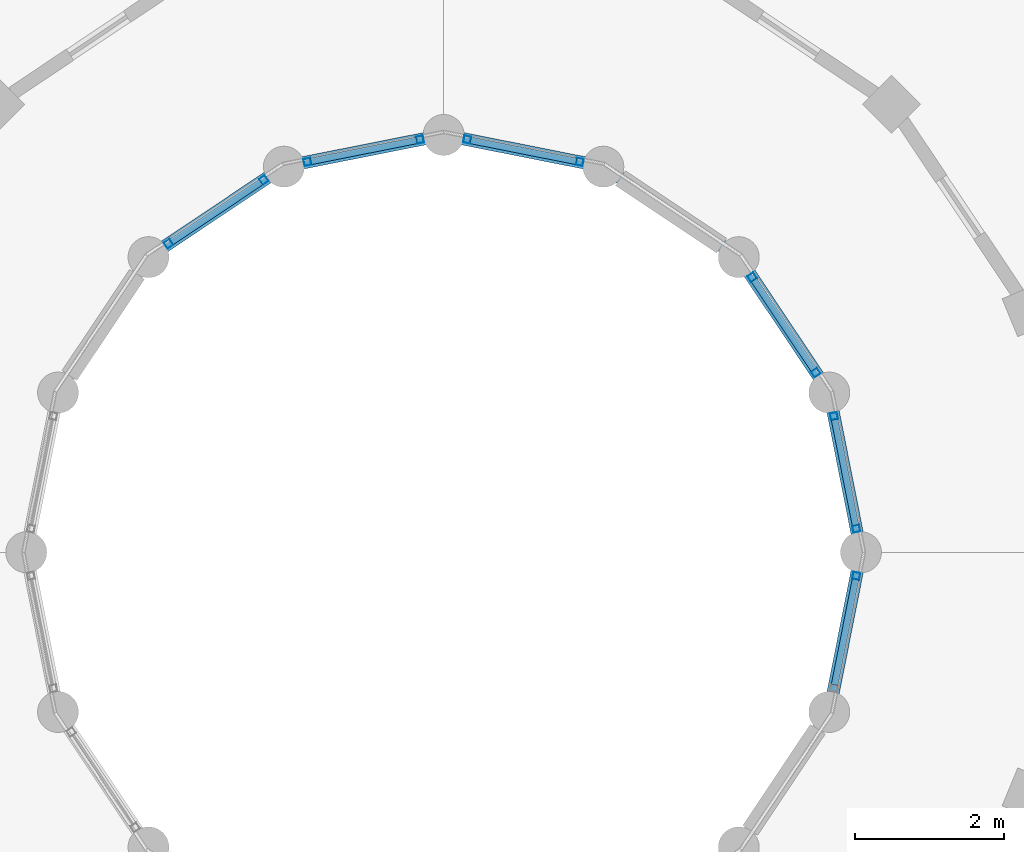
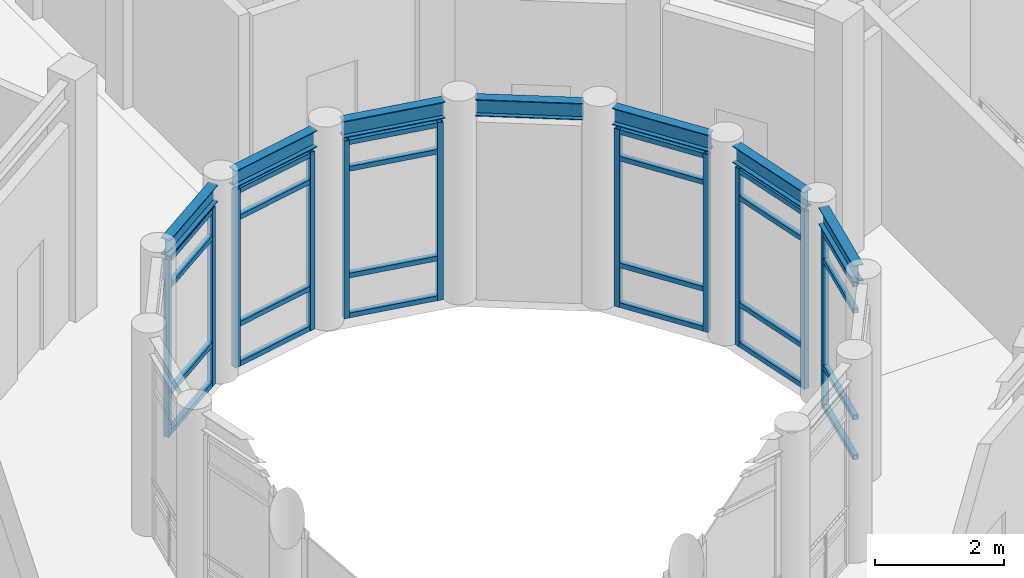
# One storey, part 15 of 149: 35 members, 7 beams, 6 elements without a shape of their own.
"""IFC4 building model written with IfcOpenShell, lengths in metres."""

from ifc_helpers import new_model, si_unit, direction, frame, origin, origin_2d, place, context, subcontext, project, spatial, hollow_rectangle, i_section, extrude, material, material_profile, profile_set, type_object, element, aggregate, save


model = new_model("IFC4")

# Units and contexts
model_context = context("Model", 3, precision=1e-05, world=origin(), true_north=direction((0.0, 1.0)))
body_context = subcontext(model_context, "Body", "Model", "MODEL_VIEW")
ifc_project = project(units=[si_unit("LENGTHUNIT", "METRE"), si_unit("AREAUNIT", "SQUARE_METRE"), si_unit("VOLUMEUNIT", "CUBIC_METRE"), si_unit("PLANEANGLEUNIT", "RADIAN"), si_unit("MASSUNIT", "GRAM", prefix="KILO")], contexts=[model_context])

# Site, building, storey
site_placement = place(None, origin())
site = spatial("IfcSite", under=ifc_project, at=site_placement, CompositionType="ELEMENT")
building_placement = place(site_placement, origin())
building = spatial("IfcBuilding", under=site, at=building_placement, Name="Celadon Cloister-Ring School", CompositionType="ELEMENT")
storey_placement = place(building_placement, frame((0.0, 0.0, 12.5)))
storey = spatial("IfcBuildingStorey", under=building, at=storey_placement, Name="L03", CompositionType="ELEMENT", Elevation=12.5)

# Curtain wall, members
ifc_material_1 = material(Name="Aluminium EN AW-6063 T6", Category="aluminium")
curtain_wall_type = type_object("IfcCurtainWallType", Name="CW-06", PredefinedType="USERDEFINED", material=ifc_material_1)
curtain_wall_1_placement = place(storey_placement, origin())
curtain_wall_1 = element("IfcCurtainWall", 1, at=curtain_wall_1_placement, inside=storey, type_object=curtain_wall_type, Name="Curtain Wall 0163", ObjectType="CURTAIN WALL", PredefinedType="USERDEFINED")
ifc_material_2 = material(Name="Aluminium EN AW-6063 T6", Category="aluminium")
ifc_material_profile_1 = material_profile(ifc_material_2, hollow_rectangle(XDim=0.094970703125, YDim=0.094970703125, WallThickness=0.00390625, at=origin_2d()), Name="RHS95X95X4")
ifc_profile_set_1 = profile_set([ifc_material_profile_1], Name="Aluminium EN AW-6063 T6")
member_type_1 = type_object("IfcMemberType", Name="CM-02", PredefinedType="MULLION", material=ifc_profile_set_1)
member_1_placement = place(storey_placement, frame((25.73681640625, 20.316650390625, 0.0), z_axis=(0.0, 0.0, 1.0), x_axis=(-0.980885435464, -0.194586131301, 0.0)))
member_1 = element("IfcMember", 2, at=member_1_placement, type_object=member_type_1, Name="CW-06 mullion 1", PredefinedType="MULLION", context=body_context, shape_type="SweptSolid", body=[
    extrude(hollow_rectangle(XDim=0.094970703125, YDim=0.094970703125, WallThickness=0.00390625, at=origin_2d()), origin(), (0.0, 0.0, 1.0), 3.375),
])
member_2_placement = place(storey_placement, frame((25.437255859375, 21.826416015625, 0.0), z_axis=(0.0, 0.0, 1.0), x_axis=(-0.980885435464, -0.194586131301, 0.0)))
member_2 = element("IfcMember", 3, at=member_2_placement, type_object=member_type_1, Name="CW-06 mullion 2", PredefinedType="MULLION", context=body_context, shape_type="SweptSolid", body=[
    extrude(hollow_rectangle(XDim=0.094970703125, YDim=0.094970703125, WallThickness=0.00390625, at=origin_2d()), origin(), (0.0, 0.0, 1.0), 3.375),
])

curtain_wall_2_placement = place(storey_placement, origin())
curtain_wall_2 = element("IfcCurtainWall", 4, at=curtain_wall_2_placement, inside=storey, type_object=curtain_wall_type, Name="Curtain Wall 0164", ObjectType="CURTAIN WALL", PredefinedType="USERDEFINED")
member_3_placement = place(storey_placement, frame((25.194580078125, 22.411376953125, 0.0), z_axis=(0.0, 0.0, 1.0), x_axis=(-0.831485091394, -0.555547066224, 0.0)))
member_3 = element("IfcMember", 5, at=member_3_placement, type_object=member_type_1, Name="CW-06 mullion 1", PredefinedType="MULLION", context=body_context, shape_type="SweptSolid", body=[
    extrude(hollow_rectangle(XDim=0.094970703125, YDim=0.094970703125, WallThickness=0.00390625, at=origin_2d()), origin(), (0.0, 0.0, 1.0), 3.375),
])
member_4_placement = place(storey_placement, frame((24.33935546875, 23.69140625, 0.0), z_axis=(0.0, 0.0, 1.0), x_axis=(-0.831485091394, -0.555547066224, 0.0)))
member_4 = element("IfcMember", 6, at=member_4_placement, type_object=member_type_1, Name="CW-06 mullion 2", PredefinedType="MULLION", context=body_context, shape_type="SweptSolid", body=[
    extrude(hollow_rectangle(XDim=0.094970703125, YDim=0.094970703125, WallThickness=0.00390625, at=origin_2d()), origin(), (0.0, 0.0, 1.0), 3.375),
])

curtain_wall_3_placement = place(storey_placement, origin())
curtain_wall_3 = element("IfcCurtainWall", 7, at=curtain_wall_3_placement, inside=storey, type_object=curtain_wall_type, Name="Curtain Wall 0165", ObjectType="CURTAIN WALL", PredefinedType="USERDEFINED")
member_5_placement = place(storey_placement, frame((22.0263671875, 25.2373046875, 0.0), z_axis=(0.0, 0.0, 1.0), x_axis=(-0.194586131301, -0.980885435464, 0.0)))
member_5 = element("IfcMember", 8, at=member_5_placement, type_object=member_type_1, Name="CW-06 mullion 1", PredefinedType="MULLION", context=body_context, shape_type="SweptSolid", body=[
    extrude(hollow_rectangle(XDim=0.094970703125, YDim=0.094970703125, WallThickness=0.00390625, at=origin_2d()), origin(), (0.0, 0.0, 1.0), 3.375),
])
member_6_placement = place(storey_placement, frame((20.5166015625, 25.536865234375, 0.0), z_axis=(0.0, 0.0, 1.0), x_axis=(-0.194586131301, -0.980885435464, 0.0)))
member_6 = element("IfcMember", 9, at=member_6_placement, type_object=member_type_1, Name="CW-06 mullion 2", PredefinedType="MULLION", context=body_context, shape_type="SweptSolid", body=[
    extrude(hollow_rectangle(XDim=0.094970703125, YDim=0.094970703125, WallThickness=0.00390625, at=origin_2d()), origin(), (0.0, 0.0, 1.0), 3.375),
])

curtain_wall_4_placement = place(storey_placement, origin())
curtain_wall_4 = element("IfcCurtainWall", 10, at=curtain_wall_4_placement, inside=storey, type_object=curtain_wall_type, Name="Curtain Wall 0166", ObjectType="CURTAIN WALL", PredefinedType="USERDEFINED")
member_7_placement = place(storey_placement, frame((19.88330078125, 25.536865234375, 0.0), z_axis=(0.0, 0.0, 1.0), x_axis=(0.194586131301, -0.980885435464, 0.0)))
member_7 = element("IfcMember", 11, at=member_7_placement, type_object=member_type_1, Name="CW-06 mullion 1", PredefinedType="MULLION", context=body_context, shape_type="SweptSolid", body=[
    extrude(hollow_rectangle(XDim=0.094970703125, YDim=0.094970703125, WallThickness=0.00390625, at=origin_2d()), origin(), (0.0, 0.0, 1.0), 3.375),
])
member_8_placement = place(storey_placement, frame((18.37353515625, 25.2373046875, 0.0), z_axis=(0.0, 0.0, 1.0), x_axis=(0.194586131301, -0.980885435464, 0.0)))
member_8 = element("IfcMember", 12, at=member_8_placement, type_object=member_type_1, Name="CW-06 mullion 2", PredefinedType="MULLION", context=body_context, shape_type="SweptSolid", body=[
    extrude(hollow_rectangle(XDim=0.094970703125, YDim=0.094970703125, WallThickness=0.00390625, at=origin_2d()), origin(), (0.0, 0.0, 1.0), 3.375),
])

curtain_wall_5_placement = place(storey_placement, origin())
curtain_wall_5 = element("IfcCurtainWall", 13, at=curtain_wall_5_placement, inside=storey, type_object=curtain_wall_type, Name="Curtain Wall 0167", ObjectType="CURTAIN WALL", PredefinedType="USERDEFINED")
member_9_placement = place(storey_placement, frame((17.78857421875, 24.99462890625, 0.0), z_axis=(0.0, 0.0, 1.0), x_axis=(0.555547066224, -0.831485091394, 0.0)))
member_9 = element("IfcMember", 14, at=member_9_placement, type_object=member_type_1, Name="CW-06 mullion 1", PredefinedType="MULLION", context=body_context, shape_type="SweptSolid", body=[
    extrude(hollow_rectangle(XDim=0.094970703125, YDim=0.094970703125, WallThickness=0.00390625, at=origin_2d()), origin(), (0.0, 0.0, 1.0), 3.375),
])
member_10_placement = place(storey_placement, frame((16.508544921875, 24.139404296875, 0.0), z_axis=(0.0, 0.0, 1.0), x_axis=(0.555547066224, -0.831485091394, 0.0)))
member_10 = element("IfcMember", 15, at=member_10_placement, type_object=member_type_1, Name="CW-06 mullion 2", PredefinedType="MULLION", context=body_context, shape_type="SweptSolid", body=[
    extrude(hollow_rectangle(XDim=0.094970703125, YDim=0.094970703125, WallThickness=0.00390625, at=origin_2d()), origin(), (0.0, 0.0, 1.0), 3.375),
])

# Curtain wall, member
curtain_wall_6_placement = place(storey_placement, origin())
curtain_wall_6 = element("IfcCurtainWall", 16, at=curtain_wall_6_placement, inside=storey, type_object=curtain_wall_type, Name="Curtain Wall 0174", ObjectType="CURTAIN WALL", PredefinedType="USERDEFINED")
member_11_placement = place(storey_placement, frame((25.73681640625, 19.683349609375, 0.0), z_axis=(0.0, 0.0, 1.0), x_axis=(-0.980885435464, 0.194586131301, 0.0)))
member_11 = element("IfcMember", 17, at=member_11_placement, type_object=member_type_1, Name="CW-06 mullion 2", PredefinedType="MULLION", context=body_context, shape_type="SweptSolid", body=[
    extrude(hollow_rectangle(XDim=0.094970703125, YDim=0.094970703125, WallThickness=0.00390625, at=origin_2d()), origin(), (0.0, 0.0, 1.0), 3.375),
])

# Member
ifc_material_3 = material(Name="Aluminium EN AW-6063 T6", Category="aluminium")
ifc_material_profile_2 = material_profile(ifc_material_3, hollow_rectangle(XDim=0.090087890625, YDim=0.090087890625, WallThickness=0.00390625, at=origin_2d()), Name="RHS90X90X4")
ifc_profile_set_2 = profile_set([ifc_material_profile_2], Name="Aluminium EN AW-6063 T6")
member_type_2 = type_object("IfcMemberType", Name="CTM-02", PredefinedType="USERDEFINED", material=ifc_profile_set_2)
member_12_placement = place(storey_placement, frame((25.7275390625, 20.36328125, 0.044921875), z_axis=(-0.194587856315, 0.980885093257, 0.0), x_axis=(-0.980885093257, -0.194587856315, 0.0)))
member_12 = element("IfcMember", 18, at=member_12_placement, type_object=member_type_2, Name="CW-06 transom 1.1", ObjectType="TRANSOM", PredefinedType="USERDEFINED", context=body_context, shape_type="SweptSolid", body=[
    extrude(hollow_rectangle(XDim=0.090087890625, YDim=0.090087890625, WallThickness=0.00390625, at=origin_2d()), origin(), (0.0, 0.0, 1.0), 1.444091796875),
])

member_13_placement = place(storey_placement, frame((25.7275390625, 20.36328125, 0.800048828125), z_axis=(-0.194587856315, 0.980885093257, 0.0), x_axis=(-0.980885093257, -0.194587856315, 0.0)))
member_13 = element("IfcMember", 19, at=member_13_placement, type_object=member_type_2, Name="CW-06 transom 1.2", ObjectType="TRANSOM", PredefinedType="USERDEFINED", context=body_context, shape_type="SweptSolid", body=[
    extrude(hollow_rectangle(XDim=0.090087890625, YDim=0.090087890625, WallThickness=0.00390625, at=origin_2d()), origin(), (0.0, 0.0, 1.0), 1.444091796875),
])

member_14_placement = place(storey_placement, frame((25.7275390625, 20.36328125, 2.824951171875), z_axis=(-0.194587856315, 0.980885093257, 0.0), x_axis=(-0.980885093257, -0.194587856315, 0.0)))
member_14 = element("IfcMember", 20, at=member_14_placement, type_object=member_type_2, Name="CW-06 transom 1.3", ObjectType="TRANSOM", PredefinedType="USERDEFINED", context=body_context, shape_type="SweptSolid", body=[
    extrude(hollow_rectangle(XDim=0.090087890625, YDim=0.090087890625, WallThickness=0.00390625, at=origin_2d()), origin(), (0.0, 0.0, 1.0), 1.444091796875),
])

member_15_placement = place(storey_placement, frame((25.7275390625, 20.36328125, 3.330078125), z_axis=(-0.194587856315, 0.980885093257, 0.0), x_axis=(-0.980885093257, -0.194587856315, 0.0)))
member_15 = element("IfcMember", 21, at=member_15_placement, type_object=member_type_2, Name="CW-06 transom 1.4", ObjectType="TRANSOM", PredefinedType="USERDEFINED", context=body_context, shape_type="SweptSolid", body=[
    extrude(hollow_rectangle(XDim=0.090087890625, YDim=0.090087890625, WallThickness=0.00390625, at=origin_2d()), origin(), (0.0, 0.0, 1.0), 1.444091796875),
])

aggregate(curtain_wall_1, [member_1, member_2, member_12, member_13, member_14, member_15])

member_16_placement = place(storey_placement, frame((25.168212890625, 22.450927734375, 0.044921875), z_axis=(-0.555518951009, 0.831503875559, 0.0), x_axis=(-0.831503875559, -0.555518951009, 0.0)))
member_16 = element("IfcMember", 22, at=member_16_placement, type_object=member_type_2, Name="CW-06 transom 1.1", ObjectType="TRANSOM", PredefinedType="USERDEFINED", context=body_context, shape_type="SweptSolid", body=[
    extrude(hollow_rectangle(XDim=0.090087890625, YDim=0.090087890625, WallThickness=0.00390625, at=origin_2d()), origin(), (0.0, 0.0, 1.0), 1.444580078125),
])

member_17_placement = place(storey_placement, frame((25.168212890625, 22.450927734375, 0.800048828125), z_axis=(-0.555518951009, 0.831503875559, 0.0), x_axis=(-0.831503875559, -0.555518951009, 0.0)))
member_17 = element("IfcMember", 23, at=member_17_placement, type_object=member_type_2, Name="CW-06 transom 1.2", ObjectType="TRANSOM", PredefinedType="USERDEFINED", context=body_context, shape_type="SweptSolid", body=[
    extrude(hollow_rectangle(XDim=0.090087890625, YDim=0.090087890625, WallThickness=0.00390625, at=origin_2d()), origin(), (0.0, 0.0, 1.0), 1.444580078125),
])

member_18_placement = place(storey_placement, frame((25.168212890625, 22.450927734375, 2.824951171875), z_axis=(-0.555518951009, 0.831503875559, 0.0), x_axis=(-0.831503875559, -0.555518951009, 0.0)))
member_18 = element("IfcMember", 24, at=member_18_placement, type_object=member_type_2, Name="CW-06 transom 1.3", ObjectType="TRANSOM", PredefinedType="USERDEFINED", context=body_context, shape_type="SweptSolid", body=[
    extrude(hollow_rectangle(XDim=0.090087890625, YDim=0.090087890625, WallThickness=0.00390625, at=origin_2d()), origin(), (0.0, 0.0, 1.0), 1.444580078125),
])

member_19_placement = place(storey_placement, frame((25.168212890625, 22.450927734375, 3.330078125), z_axis=(-0.555518951009, 0.831503875559, 0.0), x_axis=(-0.831503875559, -0.555518951009, 0.0)))
member_19 = element("IfcMember", 25, at=member_19_placement, type_object=member_type_2, Name="CW-06 transom 1.4", ObjectType="TRANSOM", PredefinedType="USERDEFINED", context=body_context, shape_type="SweptSolid", body=[
    extrude(hollow_rectangle(XDim=0.090087890625, YDim=0.090087890625, WallThickness=0.00390625, at=origin_2d()), origin(), (0.0, 0.0, 1.0), 1.444580078125),
])

aggregate(curtain_wall_2, [member_3, member_4, member_16, member_17, member_18, member_19])

member_20_placement = place(storey_placement, frame((21.979736328125, 25.24658203125, 0.044921875), z_axis=(-0.980885093257, 0.194587856315, 0.0), x_axis=(-0.194587856315, -0.980885093257, 0.0)))
member_20 = element("IfcMember", 26, at=member_20_placement, type_object=member_type_2, Name="CW-06 transom 1.1", ObjectType="TRANSOM", PredefinedType="USERDEFINED", context=body_context, shape_type="SweptSolid", body=[
    extrude(hollow_rectangle(XDim=0.090087890625, YDim=0.090087890625, WallThickness=0.00390625, at=origin_2d()), origin(), (0.0, 0.0, 1.0), 1.444091796875),
])

member_21_placement = place(storey_placement, frame((21.979736328125, 25.24658203125, 0.800048828125), z_axis=(-0.980885093257, 0.194587856315, 0.0), x_axis=(-0.194587856315, -0.980885093257, 0.0)))
member_21 = element("IfcMember", 27, at=member_21_placement, type_object=member_type_2, Name="CW-06 transom 1.2", ObjectType="TRANSOM", PredefinedType="USERDEFINED", context=body_context, shape_type="SweptSolid", body=[
    extrude(hollow_rectangle(XDim=0.090087890625, YDim=0.090087890625, WallThickness=0.00390625, at=origin_2d()), origin(), (0.0, 0.0, 1.0), 1.444091796875),
])

member_22_placement = place(storey_placement, frame((21.979736328125, 25.24658203125, 2.824951171875), z_axis=(-0.980885093257, 0.194587856315, 0.0), x_axis=(-0.194587856315, -0.980885093257, 0.0)))
member_22 = element("IfcMember", 28, at=member_22_placement, type_object=member_type_2, Name="CW-06 transom 1.3", ObjectType="TRANSOM", PredefinedType="USERDEFINED", context=body_context, shape_type="SweptSolid", body=[
    extrude(hollow_rectangle(XDim=0.090087890625, YDim=0.090087890625, WallThickness=0.00390625, at=origin_2d()), origin(), (0.0, 0.0, 1.0), 1.444091796875),
])

member_23_placement = place(storey_placement, frame((21.979736328125, 25.24658203125, 3.330078125), z_axis=(-0.980885093257, 0.194587856315, 0.0), x_axis=(-0.194587856315, -0.980885093257, 0.0)))
member_23 = element("IfcMember", 29, at=member_23_placement, type_object=member_type_2, Name="CW-06 transom 1.4", ObjectType="TRANSOM", PredefinedType="USERDEFINED", context=body_context, shape_type="SweptSolid", body=[
    extrude(hollow_rectangle(XDim=0.090087890625, YDim=0.090087890625, WallThickness=0.00390625, at=origin_2d()), origin(), (0.0, 0.0, 1.0), 1.444091796875),
])

aggregate(curtain_wall_3, [member_5, member_6, member_20, member_21, member_22, member_23])

member_24_placement = place(storey_placement, frame((19.8369140625, 25.527587890625, 0.044921875), z_axis=(-0.98089149302, -0.194555593394, 0.0), x_axis=(0.194555593394, -0.98089149302, 0.0)))
member_24 = element("IfcMember", 30, at=member_24_placement, type_object=member_type_2, Name="CW-06 transom 1.1", ObjectType="TRANSOM", PredefinedType="USERDEFINED", context=body_context, shape_type="SweptSolid", body=[
    extrude(hollow_rectangle(XDim=0.090087890625, YDim=0.090087890625, WallThickness=0.00390625, at=origin_2d()), origin(), (0.0, 0.0, 1.0), 1.4443359375),
])

member_25_placement = place(storey_placement, frame((19.8369140625, 25.527587890625, 0.800048828125), z_axis=(-0.98089149302, -0.194555593394, 0.0), x_axis=(0.194555593394, -0.98089149302, 0.0)))
member_25 = element("IfcMember", 31, at=member_25_placement, type_object=member_type_2, Name="CW-06 transom 1.2", ObjectType="TRANSOM", PredefinedType="USERDEFINED", context=body_context, shape_type="SweptSolid", body=[
    extrude(hollow_rectangle(XDim=0.090087890625, YDim=0.090087890625, WallThickness=0.00390625, at=origin_2d()), origin(), (0.0, 0.0, 1.0), 1.4443359375),
])

member_26_placement = place(storey_placement, frame((19.8369140625, 25.527587890625, 2.824951171875), z_axis=(-0.98089149302, -0.194555593394, 0.0), x_axis=(0.194555593394, -0.98089149302, 0.0)))
member_26 = element("IfcMember", 32, at=member_26_placement, type_object=member_type_2, Name="CW-06 transom 1.3", ObjectType="TRANSOM", PredefinedType="USERDEFINED", context=body_context, shape_type="SweptSolid", body=[
    extrude(hollow_rectangle(XDim=0.090087890625, YDim=0.090087890625, WallThickness=0.00390625, at=origin_2d()), origin(), (0.0, 0.0, 1.0), 1.4443359375),
])

member_27_placement = place(storey_placement, frame((19.8369140625, 25.527587890625, 3.330078125), z_axis=(-0.98089149302, -0.194555593394, 0.0), x_axis=(0.194555593394, -0.98089149302, 0.0)))
member_27 = element("IfcMember", 33, at=member_27_placement, type_object=member_type_2, Name="CW-06 transom 1.4", ObjectType="TRANSOM", PredefinedType="USERDEFINED", context=body_context, shape_type="SweptSolid", body=[
    extrude(hollow_rectangle(XDim=0.090087890625, YDim=0.090087890625, WallThickness=0.00390625, at=origin_2d()), origin(), (0.0, 0.0, 1.0), 1.4443359375),
])

aggregate(curtain_wall_4, [member_7, member_8, member_24, member_25, member_26, member_27])

member_28_placement = place(storey_placement, frame((17.7490234375, 24.96826171875, 0.044921875), z_axis=(-0.831451709445, -0.555597025604, 0.0), x_axis=(0.555597025604, -0.831451709445, 0.0)))
member_28 = element("IfcMember", 34, at=member_28_placement, type_object=member_type_2, Name="CW-06 transom 1.1", ObjectType="TRANSOM", PredefinedType="USERDEFINED", context=body_context, shape_type="SweptSolid", body=[
    extrude(hollow_rectangle(XDim=0.090087890625, YDim=0.090087890625, WallThickness=0.00390625, at=origin_2d()), origin(), (0.0, 0.0, 1.0), 1.4443359375),
])

member_29_placement = place(storey_placement, frame((17.7490234375, 24.96826171875, 0.800048828125), z_axis=(-0.831451709445, -0.555597025604, 0.0), x_axis=(0.555597025604, -0.831451709445, 0.0)))
member_29 = element("IfcMember", 35, at=member_29_placement, type_object=member_type_2, Name="CW-06 transom 1.2", ObjectType="TRANSOM", PredefinedType="USERDEFINED", context=body_context, shape_type="SweptSolid", body=[
    extrude(hollow_rectangle(XDim=0.090087890625, YDim=0.090087890625, WallThickness=0.00390625, at=origin_2d()), origin(), (0.0, 0.0, 1.0), 1.4443359375),
])

member_30_placement = place(storey_placement, frame((17.7490234375, 24.96826171875, 2.824951171875), z_axis=(-0.831451709445, -0.555597025604, 0.0), x_axis=(0.555597025604, -0.831451709445, 0.0)))
member_30 = element("IfcMember", 36, at=member_30_placement, type_object=member_type_2, Name="CW-06 transom 1.3", ObjectType="TRANSOM", PredefinedType="USERDEFINED", context=body_context, shape_type="SweptSolid", body=[
    extrude(hollow_rectangle(XDim=0.090087890625, YDim=0.090087890625, WallThickness=0.00390625, at=origin_2d()), origin(), (0.0, 0.0, 1.0), 1.4443359375),
])

member_31_placement = place(storey_placement, frame((17.7490234375, 24.96826171875, 3.330078125), z_axis=(-0.831451709445, -0.555597025604, 0.0), x_axis=(0.555597025604, -0.831451709445, 0.0)))
member_31 = element("IfcMember", 37, at=member_31_placement, type_object=member_type_2, Name="CW-06 transom 1.4", ObjectType="TRANSOM", PredefinedType="USERDEFINED", context=body_context, shape_type="SweptSolid", body=[
    extrude(hollow_rectangle(XDim=0.090087890625, YDim=0.090087890625, WallThickness=0.00390625, at=origin_2d()), origin(), (0.0, 0.0, 1.0), 1.4443359375),
])

aggregate(curtain_wall_5, [member_9, member_10, member_28, member_29, member_30, member_31])

member_32_placement = place(storey_placement, frame((25.446533203125, 18.22021484375, 0.044921875), z_axis=(0.194587856315, 0.980885093257, 0.0), x_axis=(-0.980885093257, 0.194587856315, 0.0)))
member_32 = element("IfcMember", 38, at=member_32_placement, type_object=member_type_2, Name="CW-06 transom 1.1", ObjectType="TRANSOM", PredefinedType="USERDEFINED", context=body_context, shape_type="SweptSolid", body=[
    extrude(hollow_rectangle(XDim=0.090087890625, YDim=0.090087890625, WallThickness=0.00390625, at=origin_2d()), origin(), (0.0, 0.0, 1.0), 1.444091796875),
])

member_33_placement = place(storey_placement, frame((25.446533203125, 18.22021484375, 0.800048828125), z_axis=(0.194587856315, 0.980885093257, 0.0), x_axis=(-0.980885093257, 0.194587856315, 0.0)))
member_33 = element("IfcMember", 39, at=member_33_placement, type_object=member_type_2, Name="CW-06 transom 1.2", ObjectType="TRANSOM", PredefinedType="USERDEFINED", context=body_context, shape_type="SweptSolid", body=[
    extrude(hollow_rectangle(XDim=0.090087890625, YDim=0.090087890625, WallThickness=0.00390625, at=origin_2d()), origin(), (0.0, 0.0, 1.0), 1.444091796875),
])

member_34_placement = place(storey_placement, frame((25.446533203125, 18.22021484375, 2.824951171875), z_axis=(0.194587856315, 0.980885093257, 0.0), x_axis=(-0.980885093257, 0.194587856315, 0.0)))
member_34 = element("IfcMember", 40, at=member_34_placement, type_object=member_type_2, Name="CW-06 transom 1.3", ObjectType="TRANSOM", PredefinedType="USERDEFINED", context=body_context, shape_type="SweptSolid", body=[
    extrude(hollow_rectangle(XDim=0.090087890625, YDim=0.090087890625, WallThickness=0.00390625, at=origin_2d()), origin(), (0.0, 0.0, 1.0), 1.444091796875),
])

member_35_placement = place(storey_placement, frame((25.446533203125, 18.22021484375, 3.330078125), z_axis=(0.194587856315, 0.980885093257, 0.0), x_axis=(-0.980885093257, 0.194587856315, 0.0)))
member_35 = element("IfcMember", 41, at=member_35_placement, type_object=member_type_2, Name="CW-06 transom 1.4", ObjectType="TRANSOM", PredefinedType="USERDEFINED", context=body_context, shape_type="SweptSolid", body=[
    extrude(hollow_rectangle(XDim=0.090087890625, YDim=0.090087890625, WallThickness=0.00390625, at=origin_2d()), origin(), (0.0, 0.0, 1.0), 1.444091796875),
])

aggregate(curtain_wall_6, [member_11, member_32, member_33, member_34, member_35])

# Beams
ifc_material_4 = material(Name="Structural steel S355JR", Category="steel")
ifc_material_profile_3 = material_profile(ifc_material_4, i_section(OverallWidth=0.1669921875, OverallDepth=0.31689453125, WebThickness=0.007568359375, FlangeThickness=0.01318359375, at=origin_2d()), Name="W310X52")
ifc_profile_set_3 = profile_set([ifc_material_profile_3], Name="Structural steel S355JR")
beam_type = type_object("IfcBeamType", Name="SP-05", PredefinedType="SPANDREL", material=ifc_profile_set_3)
beam_1_placement = place(storey_placement, frame((25.7509765625, 20.2451171875, 3.615966796875), z_axis=(-0.194583435458, 0.980885970256, 0.0), x_axis=(-0.980885970256, -0.194583435458, 0.0)))
element("IfcBeam", 42, at=beam_1_placement, inside=storey, type_object=beam_type, Name="Beam 1073", PredefinedType="SPANDREL", context=body_context, shape_type="SweptSolid", body=[
    extrude(i_section(OverallWidth=0.1669921875, OverallDepth=0.31689453125, WebThickness=0.007568359375, FlangeThickness=0.01318359375, at=origin_2d()), origin(), (0.0, 0.0, 1.0), 1.68505859375),
])
beam_2_placement = place(storey_placement, frame((25.235107421875, 22.35107421875, 3.615966796875), z_axis=(-0.555569328961, 0.831470216374, 0.0), x_axis=(-0.831470216374, -0.555569328961, 0.0)))
element("IfcBeam", 43, at=beam_2_placement, inside=storey, type_object=beam_type, Name="Beam 1076", PredefinedType="SPANDREL", context=body_context, shape_type="SweptSolid", body=[
    extrude(i_section(OverallWidth=0.1669921875, OverallDepth=0.31689453125, WebThickness=0.007568359375, FlangeThickness=0.01318359375, at=origin_2d()), origin(), (0.0, 0.0, 1.0), 1.684814453125),
])
beam_3_placement = place(storey_placement, frame((23.951904296875, 24.09912109375, 3.615966796875), z_axis=(-0.831537153477, 0.555469137204, 0.0), x_axis=(-0.555469137204, -0.831537153477, 0.0)))
element("IfcBeam", 44, at=beam_3_placement, inside=storey, type_object=beam_type, Name="Beam 1079", PredefinedType="SPANDREL", context=body_context, shape_type="SweptSolid", body=[
    extrude(i_section(OverallWidth=0.1669921875, OverallDepth=0.31689453125, WebThickness=0.007568359375, FlangeThickness=0.01318359375, at=origin_2d()), origin(), (0.0, 0.0, 1.0), 1.6845703125),
])
beam_4_placement = place(storey_placement, frame((22.097900390625, 25.222900390625, 3.615966796875), z_axis=(-0.980858307367, 0.194722830887, 0.0), x_axis=(-0.194722830887, -0.980858307367, 0.0)))
element("IfcBeam", 45, at=beam_4_placement, inside=storey, type_object=beam_type, Name="Beam 1081", PredefinedType="SPANDREL", context=body_context, shape_type="SweptSolid", body=[
    extrude(i_section(OverallWidth=0.1669921875, OverallDepth=0.31689453125, WebThickness=0.007568359375, FlangeThickness=0.01318359375, at=origin_2d()), origin(), (0.0, 0.0, 1.0), 1.68505859375),
])
beam_5_placement = place(storey_placement, frame((19.955078125, 25.551025390625, 3.615966796875), z_axis=(-0.980863799725, -0.194695162728, 0.0), x_axis=(0.194695162728, -0.980863799725, 0.0)))
element("IfcBeam", 46, at=beam_5_placement, inside=storey, type_object=beam_type, Name="Beam 1083", PredefinedType="SPANDREL", context=body_context, shape_type="SweptSolid", body=[
    extrude(i_section(OverallWidth=0.1669921875, OverallDepth=0.31689453125, WebThickness=0.007568359375, FlangeThickness=0.01318359375, at=origin_2d()), origin(), (0.0, 0.0, 1.0), 1.685302734375),
])
beam_6_placement = place(storey_placement, frame((17.84912109375, 25.034912109375, 3.615966796875), z_axis=(-0.831581859135, -0.555402207016, 0.0), x_axis=(0.555402207016, -0.831581859135, 0.0)))
element("IfcBeam", 47, at=beam_6_placement, inside=storey, type_object=beam_type, Name="Beam 1086", PredefinedType="SPANDREL", context=body_context, shape_type="SweptSolid", body=[
    extrude(i_section(OverallWidth=0.1669921875, OverallDepth=0.31689453125, WebThickness=0.007568359375, FlangeThickness=0.01318359375, at=origin_2d()), origin(), (0.0, 0.0, 1.0), 1.684814453125),
])
beam_7_placement = place(storey_placement, frame((25.423095703125, 18.10205078125, 3.615966796875), z_axis=(0.194583435458, 0.980885970256, 0.0), x_axis=(-0.980885970256, 0.194583435458, 0.0)))
element("IfcBeam", 48, at=beam_7_placement, inside=storey, type_object=beam_type, Name="Beam 1113", PredefinedType="SPANDREL", context=body_context, shape_type="SweptSolid", body=[
    extrude(i_section(OverallWidth=0.1669921875, OverallDepth=0.31689453125, WebThickness=0.007568359375, FlangeThickness=0.01318359375, at=origin_2d()), origin(), (0.0, 0.0, 1.0), 1.68505859375),
])

save(model, "model.ifc")
